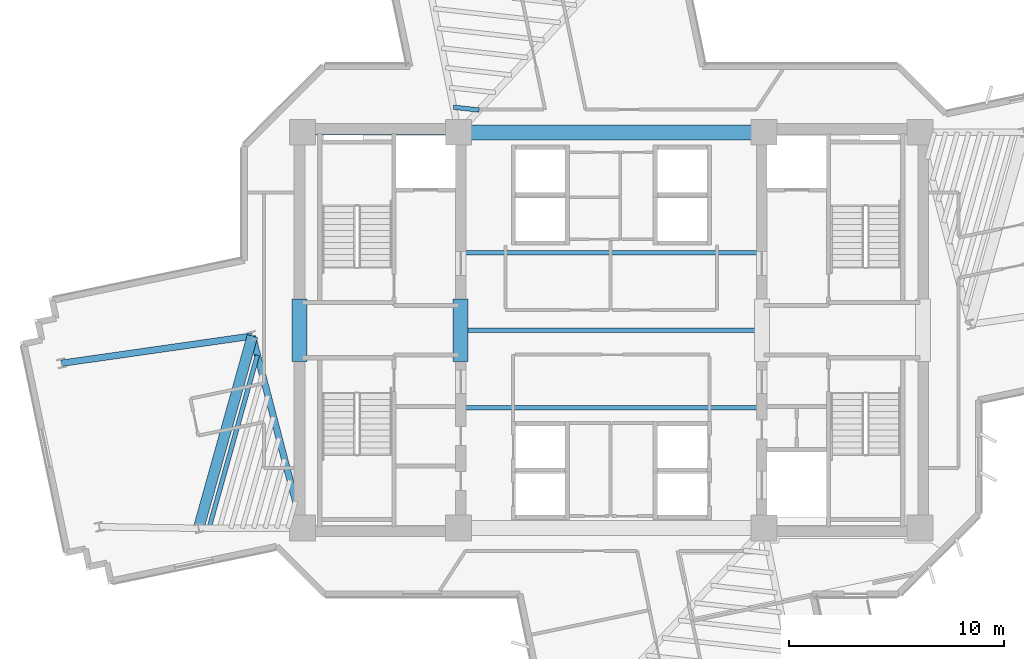
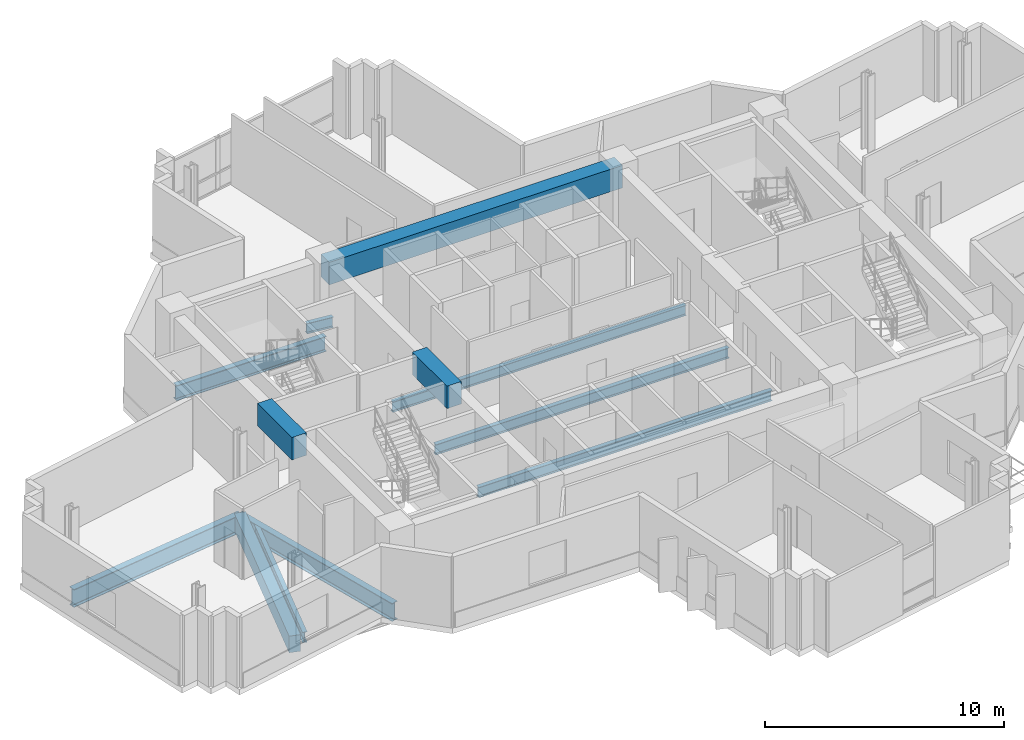
# One storey, part 3 of 14: 12 beams.
"""IFC4 building model written with IfcOpenShell, lengths in metres."""

import ifcopenshell
import ifcopenshell.guid

model = None  # the IFC model being written
_history = None  # IfcOwnerHistory: only IFC2X3 demands one
_inside = {}  # id of a spatial element -> (the spatial element, [elements in it])
_under = {}  # id of a project, library or spatial element -> (it, [spatial elements below it])
_declared = {}  # id of a project -> (the project, [libraries it declares])
_typed = {}  # id of a type object -> (the type object, [elements of that type])
_made_of = {}  # id of a material, layer set ... -> (it, [elements and type objects made of it])


def new_model(schema):
    """Start an empty IFC model of exactly this schema.

    Asked for "IFC4X3", IfcOpenShell would pick the latest addendum, in which some entities
    have other attributes; the version numbers below select the first issue.
    IFC2X3 requires an IfcOwnerHistory on every rooted entity: one is made here for all.
    """
    global model, _history
    if schema == "IFC4X3":
        model = ifcopenshell.file(schema_version=(4, 3, 0, 0))
    else:
        model = ifcopenshell.file(schema=schema)
    _inside.clear()
    _under.clear()
    _declared.clear()
    _typed.clear()
    _made_of.clear()
    _history = None
    if model.schema == "IFC2X3":
        org = make("IfcOrganization", Name="unknown")
        user = make(
            "IfcPersonAndOrganization",
            ThePerson=make("IfcPerson", FamilyName="unknown"),
            TheOrganization=org,
        )
        app = make(
            "IfcApplication",
            ApplicationDeveloper=org,
            Version="unknown",
            ApplicationFullName="unknown",
            ApplicationIdentifier="unknown",
        )
        _history = make(
            "IfcOwnerHistory",
            OwningUser=user,
            OwningApplication=app,
            ChangeAction="ADDED",
            CreationDate=0,
        )
    return model


def make(cls, **values):
    """One entity of the class cls with the attributes given. An attribute that is None is left unset."""
    return model.create_entity(
        cls, **{name: value for name, value in values.items() if value is not None}
    )


def rooted(cls, **values):
    """An entity with a GlobalId (a new one), such as an element, a storey or a relation."""
    return make(cls, GlobalId=ifcopenshell.guid.new(), OwnerHistory=_history, **values)


def si_unit(unit_type, name, prefix=None):
    """IfcSIUnit, for example si_unit("LENGTHUNIT", "METRE", prefix="MILLI")."""
    return make("IfcSIUnit", UnitType=unit_type, Prefix=prefix, Name=name)


def assignment(units):
    """IfcUnitAssignment: the units of a project."""
    return None if units is None else make("IfcUnitAssignment", Units=units)


def point(xyz):
    """IfcCartesianPoint."""
    return None if xyz is None else make("IfcCartesianPoint", Coordinates=xyz)


def direction(xyz):
    """IfcDirection."""
    return None if xyz is None else make("IfcDirection", DirectionRatios=xyz)


def frame(location, z_axis=None, x_axis=None):
    """IfcAxis2Placement3D, a coordinate frame: its origin and axes. An axis left out is left unset."""
    return make(
        "IfcAxis2Placement3D",
        Location=point(location),
        Axis=direction(z_axis),
        RefDirection=direction(x_axis),
    )


def frame_2d(location, x_axis=None):
    """IfcAxis2Placement2D, a coordinate frame in the plane: its origin and x axis."""
    return make(
        "IfcAxis2Placement2D", Location=point(location), RefDirection=direction(x_axis)
    )


def origin():
    """The frame at (0, 0, 0) with its axes left unset."""
    return frame((0.0, 0.0, 0.0))


def origin_2d():
    """The frame at (0, 0) in the plane with its x axis left unset."""
    return frame_2d((0.0, 0.0))


def place(relative_to, where):
    """IfcLocalPlacement: puts the frame where relative to a parent placement (None: the world)."""
    return make(
        "IfcLocalPlacement", PlacementRelTo=relative_to, RelativePlacement=where
    )


def context(
    kind, dimensions, precision=None, world=None, true_north=None, identifier=None
):
    """IfcGeometricRepresentationContext, for example the 3D "Model" context."""
    return make(
        "IfcGeometricRepresentationContext",
        ContextIdentifier=identifier,
        ContextType=kind,
        CoordinateSpaceDimension=dimensions,
        Precision=precision,
        WorldCoordinateSystem=world,
        TrueNorth=true_north,
    )


def subcontext(parent, identifier, kind, view, scale=None):
    """IfcGeometricRepresentationSubContext, for example "Body" below "Model"."""
    return make(
        "IfcGeometricRepresentationSubContext",
        ContextIdentifier=identifier,
        ContextType=kind,
        ParentContext=parent,
        TargetScale=scale,
        TargetView=view,
    )


def project(units=None, contexts=None):
    """IfcProject with its units and contexts."""
    return rooted(
        "IfcProject",
        Name="project",
        RepresentationContexts=contexts,
        UnitsInContext=assignment(units),
    )


def spatial(cls, under=None, at=None, **own):
    """A site, building, storey or space (cls), placed at a placement, below another one or the project."""
    s = rooted(cls, ObjectPlacement=at, **own)
    if under is not None:
        _under.setdefault(under.id(), (under, []))[1].append(s)
    return s


def profile(cls, at=None, kind="AREA", **sizes):
    """A parametric profile (cls). Its sizes go by their IFC names, for example OverallWidth=200.0."""
    return make(cls, ProfileType=kind, Position=at, **sizes)


def rectangle(**sizes):
    """IfcRectangleProfileDef."""
    return profile("IfcRectangleProfileDef", **sizes)


def i_section(**sizes):
    """IfcIShapeProfileDef."""
    return profile("IfcIShapeProfileDef", **sizes)


def extrude(swept, where, along, depth):
    """IfcExtrudedAreaSolid: the profile swept, set in the frame where, extruded along a direction by depth."""
    return make(
        "IfcExtrudedAreaSolid",
        SweptArea=swept,
        Position=where,
        ExtrudedDirection=direction(along),
        Depth=depth,
    )


def shape(context_of_items, identifier, shape_type, items):
    """IfcShapeRepresentation: the items that make up one representation, for example the "Body"."""
    return make(
        "IfcShapeRepresentation",
        ContextOfItems=context_of_items,
        RepresentationIdentifier=identifier,
        RepresentationType=shape_type,
        Items=items,
    )


def source(mapping_origin, context_of_items, identifier, shape_type, items):
    """IfcRepresentationMap: a shape defined once, which mapped items show again and again."""
    return make(
        "IfcRepresentationMap",
        MappingOrigin=mapping_origin,
        MappedRepresentation=shape(context_of_items, identifier, shape_type, items),
    )


def transform(
    local_origin,
    x_axis=None,
    y_axis=None,
    z_axis=None,
    scale=None,
    scale2=None,
    scale3=None,
    uniform=True,
):
    """IfcCartesianTransformationOperator3D, or its non-uniform kind. x_axis, y_axis, z_axis: its Axis1, 2, 3."""
    if uniform:
        return make(
            "IfcCartesianTransformationOperator3D",
            Axis1=direction(x_axis),
            Axis2=direction(y_axis),
            LocalOrigin=point(local_origin),
            Scale=scale,
            Axis3=direction(z_axis),
        )
    return make(
        "IfcCartesianTransformationOperator3DnonUniform",
        Axis1=direction(x_axis),
        Axis2=direction(y_axis),
        LocalOrigin=point(local_origin),
        Scale=scale,
        Axis3=direction(z_axis),
        Scale2=scale2,
        Scale3=scale3,
    )


def mapped(mapping_source, mapping_target):
    """IfcMappedItem: shows the shape of a source again, moved by a transform."""
    return make(
        "IfcMappedItem", MappingSource=mapping_source, MappingTarget=mapping_target
    )


def material(Name=None, Category=None):
    """IfcMaterial."""
    return make("IfcMaterial", Name=Name, Category=Category)


def material_profile(
    of_material, cross_section, Name=None, Category=None, Priority=None
):
    """IfcMaterialProfile: a cross section and its material."""
    return make(
        "IfcMaterialProfile",
        Name=Name,
        Material=of_material,
        Profile=cross_section,
        Priority=Priority,
        Category=Category,
    )


def profile_set(profiles, Name=None, composite=None):
    """IfcMaterialProfileSet."""
    return make(
        "IfcMaterialProfileSet",
        Name=Name,
        MaterialProfiles=profiles,
        CompositeProfile=composite,
    )


def made_of(thing, what):
    """Note that an element or type object is made of a material, layer set ...; save() writes the relation."""
    if what is not None:
        _made_of.setdefault(what.id(), (what, []))[1].append(thing)
    return thing


def type_object(cls, material=None, **own):
    """A type object (cls), such as IfcWallType, which elements share."""
    return made_of(rooted(cls, **own), material)


def element(
    cls,
    number,
    at=None,
    inside=None,
    cuts=None,
    type_object=None,
    material=None,
    context=None,
    identifier="Body",
    shape_type=None,
    held_by="IfcProductDefinitionShape",
    body=None,
    shapes=None,
    **own,
):
    """One element of the class cls, such as IfcWall. Its Tag is "e" and its number.

    at: its placement. inside: the storey or other place that contains it. cuts: it is an
    opening in that element (IfcRelVoidsElement). A single representation is given by context,
    identifier, shape_type and body (its items); several are given by shapes. held_by: the class
    of the entity that holds the representations. save() writes the other relations.
    """
    e = rooted(cls, Tag="e%d" % number, ObjectPlacement=at, **own)
    if body is not None:
        shapes = [shape(context, identifier, shape_type, body)]
    if shapes is not None:
        e.Representation = make(held_by, Representations=shapes)
    if inside is not None:
        _inside.setdefault(inside.id(), (inside, []))[1].append(e)
    if cuts is not None:
        rooted(
            "IfcRelVoidsElement", RelatingBuildingElement=cuts, RelatedOpeningElement=e
        )
    if type_object is not None:
        _typed.setdefault(type_object.id(), (type_object, []))[1].append(e)
    return made_of(e, material)


def aggregate(whole, parts):
    """IfcRelAggregates: a whole, such as a stair, and the parts it consists of."""
    return rooted("IfcRelAggregates", RelatingObject=whole, RelatedObjects=parts)


def save(model, path):
    """Write the relations noted so far, then the file.

    IfcRelAggregates (storeys below a building ...), IfcRelContainedInSpatialStructure (elements
    in a storey), IfcRelDefinesByType, IfcRelAssociatesMaterial and IfcRelDeclares: one each for
    every whole, place, type object, material and project.
    """
    for whole, parts in _under.values():
        aggregate(whole, parts)
    for where, things in _inside.values():
        rooted(
            "IfcRelContainedInSpatialStructure",
            RelatedElements=things,
            RelatingStructure=where,
        )
    for kind, things in _typed.values():
        rooted("IfcRelDefinesByType", RelatedObjects=things, RelatingType=kind)
    for what, things in _made_of.values():
        rooted("IfcRelAssociatesMaterial", RelatedObjects=things, RelatingMaterial=what)
    for by, libraries in _declared.values():
        rooted("IfcRelDeclares", RelatingContext=by, RelatedDefinitions=libraries)
    model.write(path)


model = new_model("IFC4")

# Units and contexts
model_context = context("Model", 3, precision=1e-05, world=origin(), true_north=direction((0.0, 1.0)))
body_context = subcontext(model_context, "Body", "Model", "MODEL_VIEW")
ifc_project = project(units=[si_unit("LENGTHUNIT", "METRE"), si_unit("AREAUNIT", "SQUARE_METRE"), si_unit("VOLUMEUNIT", "CUBIC_METRE"), si_unit("PLANEANGLEUNIT", "RADIAN"), si_unit("MASSUNIT", "GRAM", prefix="KILO")], contexts=[model_context])

# Site, building, storey
site_placement = place(None, origin())
site = spatial("IfcSite", under=ifc_project, at=site_placement, CompositionType="ELEMENT")
building_placement = place(site_placement, origin())
building = spatial("IfcBuilding", under=site, at=building_placement, Name="Zahravan Cultural Tower", CompositionType="ELEMENT")
storey_placement = place(building_placement, frame((0.0, 0.0, 166.800048828125)))
storey = spatial("IfcBuildingStorey", under=building, at=storey_placement, Name="L38", CompositionType="ELEMENT", Elevation=166.800048828125)

# Beams
ifc_material_1 = material(Name="Concrete C50/60", Category="concrete")
ifc_material_profile_1 = material_profile(ifc_material_1, rectangle(XDim=0.699951171875, YDim=1.14990234375, at=origin_2d()), Name="RC700X1150")
ifc_profile_set_1 = profile_set([ifc_material_profile_1], Name="Concrete C50/60")
beam_type_1 = type_object("IfcBeamType", Name="BM-LN-RC700X1150", PredefinedType="LINTEL", material=ifc_profile_set_1)
shared_shape_1 = source(origin(), body_context, "Body", "SweptSolid", [
    extrude(rectangle(XDim=0.699951171875, YDim=1.14990234375, at=origin_2d()), origin(), (0.0, 0.0, 1.0), 14.2001953125),
])
beam_1_placement = place(storey_placement, frame((28.89990234375, 36.199951171875, 3.044921875), z_axis=(1.0, 0.0, 0.0), x_axis=(0.0, 1.0, 0.0)))
element("IfcBeam", 1, at=beam_1_placement, inside=storey, type_object=beam_type_1, Name="L38 Beam LN-L38-N", PredefinedType="LINTEL", context=body_context, shape_type="MappedRepresentation", body=[
    mapped(shared_shape_1, transform((0.0, 0.0, 0.0), x_axis=(1.0, 0.0, 0.0), y_axis=(0.0, 1.0, 0.0), z_axis=(0.0, 0.0, 1.0), scale=1.0)),
])
shared_shape_2 = source(origin(), body_context, "Body", "SweptSolid", [
    extrude(rectangle(XDim=0.699951171875, YDim=1.14990234375, at=origin_2d()), origin(), (0.0, 0.0, 1.0), 2.89990234375),
])
for number, where, z_axis, x_axis, name in (
    (2, (21.5, 25.550048828125, 3.044921875), (0.0, 1.0, 0.0), (-1.0, 0.0, 0.0), "L38 Beam LN-L38-PWW"),
    (3, (29.0, 25.550048828125, 3.044921875), (0.0, 1.0, 0.0), (-1.0, 0.0, 0.0), "L38 Beam LN-L38-PWE"),
):
    element("IfcBeam", number, at=place(storey_placement, frame(where, z_axis=z_axis, x_axis=x_axis)), inside=storey, type_object=beam_type_1, Name=name, PredefinedType="LINTEL", context=body_context, shape_type="MappedRepresentation", body=[
        mapped(shared_shape_2, transform((0.0, 0.0, 0.0), x_axis=(1.0, 0.0, 0.0), y_axis=(0.0, 1.0, 0.0), z_axis=(0.0, 0.0, 1.0), scale=1.0)),
    ])
ifc_material_2 = material(Name="Steel ASTM A992 Grade 50", Category="steel")
ifc_material_profile_2 = material_profile(ifc_material_2, i_section(OverallWidth=0.26611328125, OverallDepth=0.780029296875, WebThickness=0.0166015625, FlangeThickness=0.030029296875, FilletRadius=0.01904296875, at=origin_2d()), Name="W30X148")
ifc_profile_set_2 = profile_set([ifc_material_profile_2], Name="Steel ASTM A992 Grade 50")
beam_type_2 = type_object("IfcBeamType", Name="BM-G-W30X148", PredefinedType="BEAM", material=ifc_profile_set_2)
shared_shape_3 = source(origin(), body_context, "Body", "SweptSolid", [
    extrude(i_section(OverallWidth=0.26611328125, OverallDepth=0.780029296875, WebThickness=0.0166015625, FlangeThickness=0.030029296875, FilletRadius=0.01904296875, at=origin_2d()), origin(), (0.0, 0.0, 1.0), 7.25),
])
beam_2_placement = place(storey_placement, frame((21.64990234375, 36.199951171875, -0.670166015625), z_axis=(1.0, 0.0, 0.0), x_axis=(0.0, 1.0, 0.0)))
element("IfcBeam", 4, at=beam_2_placement, inside=storey, type_object=beam_type_2, Name="L38 Beam BG-L38-02", PredefinedType="BEAM", context=body_context, shape_type="MappedRepresentation", body=[
    mapped(shared_shape_3, transform((0.0, 0.0, 0.0), x_axis=(1.0, 0.0, 0.0), y_axis=(0.0, 1.0, 0.0), z_axis=(0.0, 0.0, 1.0), scale=1.0)),
])
ifc_material_profile_3 = material_profile(ifc_material_2, i_section(OverallWidth=0.304931640625, OverallDepth=0.9189453125, WebThickness=0.017333984375, FlangeThickness=0.02783203125, FilletRadius=0.02392578125, at=origin_2d()), Name="W36X170")
ifc_profile_set_3 = profile_set([ifc_material_profile_3], Name="Steel ASTM A992 Grade 50")
beam_type_3 = type_object("IfcBeamType", Name="BM-G-W36X170", PredefinedType="BEAM", material=ifc_profile_set_3)
shared_shape_4 = source(origin(), body_context, "Body", "SweptSolid", [
    extrude(i_section(OverallWidth=0.304931640625, OverallDepth=0.9189453125, WebThickness=0.017333984375, FlangeThickness=0.02783203125, FilletRadius=0.02392578125, at=origin_2d()), origin(), (0.0, 0.0, 1.0), 9.22900390625),
])
beam_3_placement = place(storey_placement, frame((21.64990234375, 17.800048828125, -0.739501953125), z_axis=(-0.252922608408, 0.967486513682, 0.0), x_axis=(-0.967486513682, -0.252922608408, 0.0)))
element("IfcBeam", 5, at=beam_3_placement, inside=storey, type_object=beam_type_3, Name="L38 Beam BG-L38-07", PredefinedType="BEAM", context=body_context, shape_type="MappedRepresentation", body=[
    mapped(shared_shape_4, transform((0.0, 0.0, 0.0), x_axis=(1.0, 0.0, 0.0), y_axis=(0.0, 1.0, 0.0), z_axis=(0.0, 0.0, 1.0), scale=1.0)),
])
shared_shape_5 = source(origin(), body_context, "Body", "SweptSolid", [
    extrude(i_section(OverallWidth=0.304931640625, OverallDepth=0.9189453125, WebThickness=0.017333984375, FlangeThickness=0.02783203125, FilletRadius=0.02392578125, at=origin_2d()), origin(), (0.0, 0.0, 1.0), 8.9580078125),
])
beam_4_placement = place(storey_placement, frame((19.315673828125, 26.72900390625, -0.739501953125), z_axis=(-0.990000122431, -0.141066500584, 0.0), x_axis=(0.141066500584, -0.990000122431, 0.0)))
element("IfcBeam", 6, at=beam_4_placement, inside=storey, type_object=beam_type_3, Name="L38 Beam BG-L38-17", PredefinedType="BEAM", context=body_context, shape_type="MappedRepresentation", body=[
    mapped(shared_shape_5, transform((0.0, 0.0, 0.0), x_axis=(1.0, 0.0, 0.0), y_axis=(0.0, 1.0, 0.0), z_axis=(0.0, 0.0, 1.0), scale=1.0)),
])
ifc_material_profile_4 = material_profile(ifc_material_1, rectangle(XDim=0.5, YDim=0.85009765625, at=origin_2d()), Name="RC500X850")
ifc_profile_set_4 = profile_set([ifc_material_profile_4], Name="Concrete C50/60")
beam_type_4 = type_object("IfcBeamType", Name="BM-SP-RC500X850", PredefinedType="SPANDREL", material=ifc_profile_set_4)
shared_shape_6 = source(origin(), body_context, "Body", "SweptSolid", [
    extrude(rectangle(XDim=0.5, YDim=0.85009765625, at=origin_2d()), origin(), (0.0, 0.0, 1.0), 9.2783203125),
])
beam_5_placement = place(storey_placement, frame((19.315673828125, 26.72900390625, -0.705078125), z_axis=(-0.269497187032, -0.963001176625, 0.0), x_axis=(0.963001176625, -0.269497187032, 0.0)))
element("IfcBeam", 7, at=beam_5_placement, inside=storey, type_object=beam_type_4, Name="L38 Beam SP-L38-19", PredefinedType="SPANDREL", context=body_context, shape_type="MappedRepresentation", body=[
    mapped(shared_shape_6, transform((0.0, 0.0, 0.0), x_axis=(1.0, 0.0, 0.0), y_axis=(0.0, 1.0, 0.0), z_axis=(0.0, 0.0, 1.0), scale=1.0)),
])
ifc_material_profile_5 = material_profile(ifc_material_2, i_section(OverallWidth=0.2099609375, OverallDepth=0.532958984375, WebThickness=0.01025390625, FlangeThickness=0.015625, FilletRadius=0.013916015625, at=origin_2d()), Name="W21X62")
ifc_profile_set_5 = profile_set([ifc_material_profile_5], Name="Steel ASTM A992 Grade 50")
beam_type_5 = type_object("IfcBeamType", Name="BM-J-W21X62", PredefinedType="JOIST", material=ifc_profile_set_5)
shared_shape_7 = source(origin(), body_context, "Body", "SweptSolid", [
    extrude(i_section(OverallWidth=0.2099609375, OverallDepth=0.532958984375, WebThickness=0.01025390625, FlangeThickness=0.015625, FilletRadius=0.013916015625, at=origin_2d()), origin(), (0.0, 0.0, 1.0), 14.2001953125),
])
for number, where, z_axis, x_axis, name in (
    (8, (28.89990234375, 23.39990234375, -0.546630859375), (1.0, 0.0, 0.0), (0.0, 1.0, 0.0), "L38 Beam BJ-L38-23"),
    (9, (28.89990234375, 27.0, -0.546630859375), (1.0, 0.0, 0.0), (0.0, 1.0, 0.0), "L38 Beam BJ-L38-24"),
    (10, (28.89990234375, 30.60009765625, -0.546630859375), (1.0, 0.0, 0.0), (0.0, 1.0, 0.0), "L38 Beam BJ-L38-25"),
):
    element("IfcBeam", number, at=place(storey_placement, frame(where, z_axis=z_axis, x_axis=x_axis)), inside=storey, type_object=beam_type_5, Name=name, PredefinedType="JOIST", context=body_context, shape_type="MappedRepresentation", body=[
        mapped(shared_shape_7, transform((0.0, 0.0, 0.0), x_axis=(1.0, 0.0, 0.0), y_axis=(0.0, 1.0, 0.0), z_axis=(0.0, 0.0, 1.0), scale=1.0)),
    ])
shared_shape_8 = source(origin(), body_context, "Body", "SweptSolid", [
    extrude(i_section(OverallWidth=0.2099609375, OverallDepth=0.532958984375, WebThickness=0.01025390625, FlangeThickness=0.015625, FilletRadius=0.013916015625, at=origin_2d()), origin(), (0.0, 0.0, 1.0), 8.350830078125),
])
beam_6_placement = place(storey_placement, frame((19.549072265625, 25.836181640625, -0.546630859375), z_axis=(-0.269496539555, -0.963001357822, 0.0), x_axis=(0.963001357822, -0.269496539555, 0.0)))
element("IfcBeam", 11, at=beam_6_placement, inside=storey, type_object=beam_type_5, Name="L38 Beam BJ-L38-33", PredefinedType="JOIST", context=body_context, shape_type="MappedRepresentation", body=[
    mapped(shared_shape_8, transform((0.0, 0.0, 0.0), x_axis=(1.0, 0.0, 0.0), y_axis=(0.0, 1.0, 0.0), z_axis=(0.0, 0.0, 1.0), scale=1.0)),
])
shared_shape_9 = source(origin(), body_context, "Body", "SweptSolid", [
    extrude(i_section(OverallWidth=0.2099609375, OverallDepth=0.532958984375, WebThickness=0.01025390625, FlangeThickness=0.015625, FilletRadius=0.013916015625, at=origin_2d()), origin(), (0.0, 0.0, 1.0), 1.201171875),
])
beam_7_placement = place(storey_placement, frame((29.859619140625, 37.234375, -0.546630859375), z_axis=(-0.99379916149, 0.111190047317, 0.0), x_axis=(-0.111190047317, -0.99379916149, 0.0)))
element("IfcBeam", 12, at=beam_7_placement, inside=storey, type_object=beam_type_5, Name="L38 Beam BJ-L38-50", PredefinedType="JOIST", context=body_context, shape_type="MappedRepresentation", body=[
    mapped(shared_shape_9, transform((0.0, 0.0, 0.0), x_axis=(1.0, 0.0, 0.0), y_axis=(0.0, 1.0, 0.0), z_axis=(0.0, 0.0, 1.0), scale=1.0)),
])

save(model, "model.ifc")
